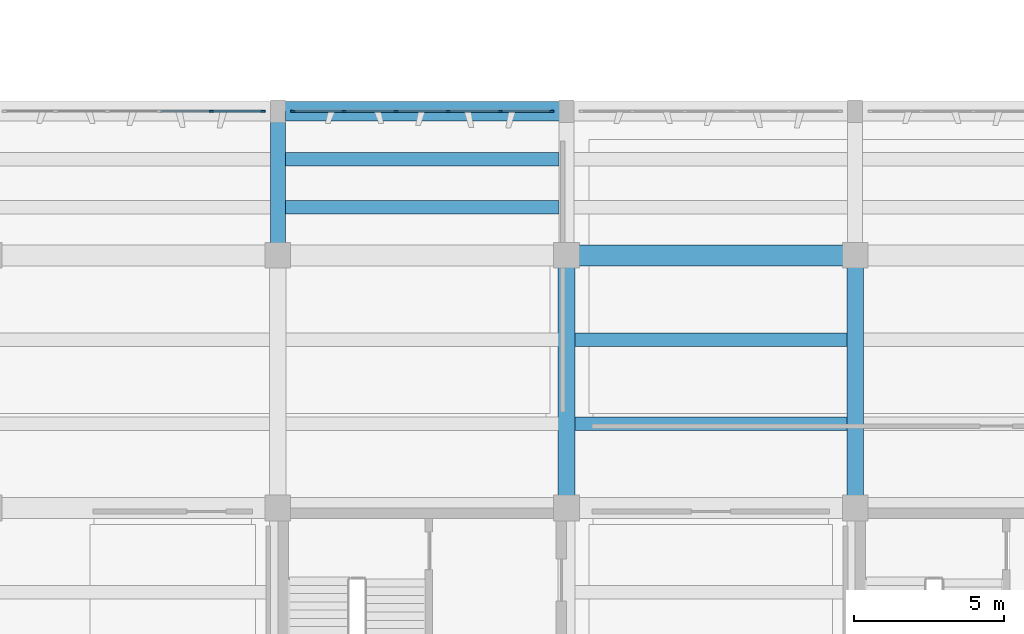
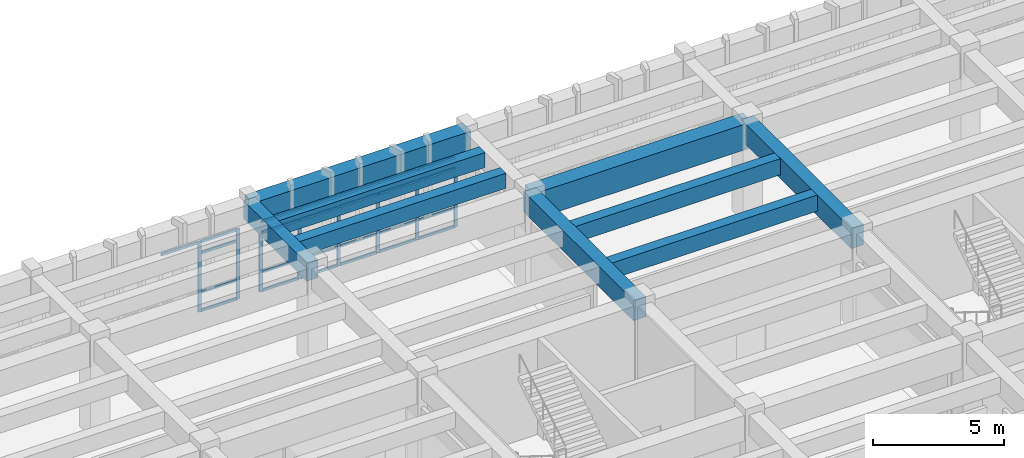
# One storey, part 15 of 86: 33 members, 9 beams, 2 elements without a shape of their own.
"""IFC4 building model written with IfcOpenShell, lengths in metres."""

from ifc_helpers import new_model, si_unit, direction, frame, origin, origin_2d, place, context, subcontext, project, spatial, rectangle, extrude, material, layer, layer_set, material_profile, profile_set, type_object, element, aggregate, save


model = new_model("IFC4")

# Units and contexts
model_context = context("Model", 3, precision=1e-05, world=origin(), true_north=direction((0.0, 1.0)))
body_context = subcontext(model_context, "Body", "Model", "MODEL_VIEW")
ifc_project = project(units=[si_unit("LENGTHUNIT", "METRE"), si_unit("AREAUNIT", "SQUARE_METRE"), si_unit("VOLUMEUNIT", "CUBIC_METRE"), si_unit("PLANEANGLEUNIT", "RADIAN"), si_unit("MASSUNIT", "GRAM", prefix="KILO")], contexts=[model_context])

# Site, building, storey
site_placement = place(None, origin())
site = spatial("IfcSite", under=ifc_project, at=site_placement, CompositionType="ELEMENT")
building_placement = place(site_placement, origin())
building = spatial("IfcBuilding", under=site, at=building_placement, Name="Kolvemor Railside Polytechnic", CompositionType="ELEMENT")
storey_placement = place(building_placement, frame((0.0, 0.0, 5.39990234375)))
storey = spatial("IfcBuildingStorey", under=building, at=storey_placement, Name="L01", CompositionType="ELEMENT", Elevation=5.39990234375)

# Beams
ifc_material_1 = material(Name="Concrete C40/50", Category="concrete")
ifc_material_profile_1 = material_profile(ifc_material_1, rectangle(XDim=0.550048828125, YDim=0.949951171875, at=origin_2d()), Name="RC550x950")
ifc_profile_set_1 = profile_set([ifc_material_profile_1], Name="Concrete C40/50")
beam_type_1 = type_object("IfcBeamType", Name="BM-RC-GIRD", PredefinedType="BEAM", material=ifc_profile_set_1)
for number, where, z_axis, x_axis, name in (
    (1, (96.0, 30.0, 4.005126953125), (0.0, 1.0, 0.0), (-1.0, 0.0, 0.0), "Primary Girder L02-GY 0812"),
    (2, (105.60009765625, 30.0, 4.005126953125), (0.0, 1.0, 0.0), (-1.0, 0.0, 0.0), "Primary Girder L02-GY 0816"),
):
    element("IfcBeam", number, at=place(storey_placement, frame(where, z_axis=z_axis, x_axis=x_axis)), inside=storey, type_object=beam_type_1, Name=name, PredefinedType="BEAM", context=body_context, shape_type="SweptSolid", body=[
        extrude(rectangle(XDim=0.550048828125, YDim=0.949951171875, at=origin_2d()), origin(), (0.0, 0.0, 1.0), 8.39990234375),
    ])
ifc_material_2 = material(Name="Concrete C40/50", Category="concrete")
ifc_material_profile_2 = material_profile(ifc_material_2, rectangle(XDim=0.64990234375, YDim=1.050048828125, at=origin_2d()), Name="RC650x1050")
ifc_profile_set_2 = profile_set([ifc_material_profile_2], Name="Concrete C40/50")
beam_type_2 = type_object("IfcBeamType", Name="BM-RC-GIRD2", PredefinedType="BEAM", material=ifc_profile_set_2)
beam_1_placement = place(storey_placement, frame((86.39990234375, 43.199951171875, 3.955078125), z_axis=(1.0, 0.0, 0.0), x_axis=(0.0, 1.0, 0.0)))
element("IfcBeam", 3, at=beam_1_placement, inside=storey, type_object=beam_type_2, Name="Primary Girder L02-GX 1884", PredefinedType="BEAM", context=body_context, shape_type="SweptSolid", body=[
    extrude(rectangle(XDim=0.64990234375, YDim=1.050048828125, at=origin_2d()), origin(), (0.0, 0.0, 1.0), 9.60009765625),
])
ifc_material_3 = material(Name="Concrete C40/50", Category="concrete")
ifc_material_profile_3 = material_profile(ifc_material_3, rectangle(XDim=0.5, YDim=0.85009765625, at=origin_2d()), Name="RC500x850")
ifc_profile_set_3 = profile_set([ifc_material_profile_3], Name="Concrete C40/50")
beam_type_3 = type_object("IfcBeamType", Name="BM-RC-GIRD3", PredefinedType="BEAM", material=ifc_profile_set_3)
beam_2_placement = place(storey_placement, frame((86.39990234375, 38.39990234375, 4.05517578125), z_axis=(0.0, 1.0, 0.0), x_axis=(-1.0, 0.0, 0.0)))
element("IfcBeam", 4, at=beam_2_placement, inside=storey, type_object=beam_type_3, Name="Primary Girder L02-GY 1891", PredefinedType="BEAM", context=body_context, shape_type="SweptSolid", body=[
    extrude(rectangle(XDim=0.5, YDim=0.85009765625, at=origin_2d()), origin(), (0.0, 0.0, 1.0), 4.800048828125),
])
ifc_material_4 = material(Name="Concrete C40/50", Category="concrete")
ifc_material_profile_4 = material_profile(ifc_material_4, rectangle(XDim=0.449951171875, YDim=0.75, at=origin_2d()), Name="RC450x750")
ifc_profile_set_4 = profile_set([ifc_material_profile_4], Name="Concrete C40/50")
beam_type_4 = type_object("IfcBeamType", Name="BM-RC-SEC", PredefinedType="JOIST", material=ifc_profile_set_4)
for number, where, z_axis, x_axis, name in (
    (5, (96.27490234375, 32.800048828125, 4.10498046875), (1.0, 0.0, 0.0), (0.0, 1.0, 0.0), "Floor Joist L02-J0871"),
    (6, (96.27490234375, 35.60009765625, 4.10498046875), (1.0, 0.0, 0.0), (0.0, 1.0, 0.0), "Floor Joist L02-J0872"),
):
    element("IfcBeam", number, at=place(storey_placement, frame(where, z_axis=z_axis, x_axis=x_axis)), inside=storey, type_object=beam_type_4, Name=name, PredefinedType="JOIST", context=body_context, shape_type="SweptSolid", body=[
        extrude(rectangle(XDim=0.449951171875, YDim=0.75, at=origin_2d()), origin(), (0.0, 0.0, 1.0), 9.050048828125),
    ])
ifc_material_5 = material(Name="Concrete C40/50", Category="concrete")
ifc_material_profile_5 = material_profile(ifc_material_5, rectangle(XDim=0.449951171875, YDim=0.699951171875, at=origin_2d()), Name="RC450x700")
ifc_profile_set_5 = profile_set([ifc_material_profile_5], Name="Concrete C40/50")
beam_type_5 = type_object("IfcBeamType", Name="BM-RC-SEC2", PredefinedType="JOIST", material=ifc_profile_set_5)
for number, where, z_axis, x_axis, name in (
    (7, (86.64990234375, 40.0, 4.130126953125), (1.0, 0.0, 0.0), (0.0, 1.0, 0.0), "Floor Joist L02-J1902"),
    (8, (86.64990234375, 41.60009765625, 4.130126953125), (1.0, 0.0, 0.0), (0.0, 1.0, 0.0), "Floor Joist L02-J1903"),
):
    element("IfcBeam", number, at=place(storey_placement, frame(where, z_axis=z_axis, x_axis=x_axis)), inside=storey, type_object=beam_type_5, Name=name, PredefinedType="JOIST", context=body_context, shape_type="SweptSolid", body=[
        extrude(rectangle(XDim=0.449951171875, YDim=0.699951171875, at=origin_2d()), origin(), (0.0, 0.0, 1.0), 9.10009765625),
    ])
ifc_material_6 = material(Name="Concrete C40/50", Category="concrete")
ifc_material_profile_6 = material_profile(ifc_material_6, rectangle(XDim=0.699951171875, YDim=1.199951171875, at=origin_2d()), Name="RC700x1200")
ifc_profile_set_6 = profile_set([ifc_material_profile_6], Name="Concrete C40/50")
beam_type_6 = type_object("IfcBeamType", Name="BM-RC-XFER", PredefinedType="BEAM", material=ifc_profile_set_6)
beam_3_placement = place(storey_placement, frame((96.0, 38.39990234375, 3.880126953125), z_axis=(1.0, 0.0, 0.0), x_axis=(0.0, 1.0, 0.0)))
element("IfcBeam", 9, at=beam_3_placement, inside=storey, type_object=beam_type_6, Name="Primary Girder L02-GX 0789", PredefinedType="BEAM", context=body_context, shape_type="SweptSolid", body=[
    extrude(rectangle(XDim=0.699951171875, YDim=1.199951171875, at=origin_2d()), origin(), (0.0, 0.0, 1.0), 9.60009765625),
])

# Curtain wall, members
ifc_material_7 = material(Name="Anodised marine aluminium and laminated low-E glass", Category="aluminium")
ifc_layer = layer(ifc_material_7, 0.179931640625, Name="CW-UNIT-STD")
ifc_layer_set = layer_set([ifc_layer], Name="Anodised marine aluminium and laminated low-E glass")
curtain_wall_type = type_object("IfcCurtainWallType", Name="CW-UNIT-STD", PredefinedType="USERDEFINED", material=ifc_layer_set)
curtain_wall_1_placement = place(storey_placement, origin())
curtain_wall_1 = element("IfcCurtainWall", 10, at=curtain_wall_1_placement, inside=storey, type_object=curtain_wall_type, Name="Curtain Wall L01-115", ObjectType="UNITISED CURTAIN WALL", PredefinedType="USERDEFINED")
ifc_material_8 = material(Name="Anodised marine aluminium 6063-T6", Category="aluminium")
ifc_material_profile_7 = material_profile(ifc_material_8, rectangle(XDim=0.06494140625, YDim=0.14990234375, at=origin_2d()), Name="CW-MUL-65x150")
ifc_profile_set_7 = profile_set([ifc_material_profile_7], Name="Anodised marine aluminium 6063-T6")
member_type_1 = type_object("IfcMemberType", Name="CWM-65x150", PredefinedType="MULLION", material=ifc_profile_set_7)
member_1_placement = place(storey_placement, frame((85.8974609375, 43.199951171875, 0.0), z_axis=(0.0, 0.0, 1.0), x_axis=(0.0, -1.0, 0.0)))
member_1 = element("IfcMember", 11, at=member_1_placement, type_object=member_type_1, Name="CW-STD mullion 1", PredefinedType="MULLION", context=body_context, shape_type="SweptSolid", body=[
    extrude(rectangle(XDim=0.06494140625, YDim=0.14990234375, at=origin_2d()), origin(), (0.0, 0.0, 1.0), 3.280029296875),
])
member_2_placement = place(storey_placement, frame((84.197998046875, 43.199951171875, 0.0), z_axis=(0.0, 0.0, 1.0), x_axis=(0.0, -1.0, 0.0)))
member_2 = element("IfcMember", 12, at=member_2_placement, type_object=member_type_1, Name="CW-STD mullion 2", PredefinedType="MULLION", context=body_context, shape_type="SweptSolid", body=[
    extrude(rectangle(XDim=0.06494140625, YDim=0.14990234375, at=origin_2d()), origin(), (0.0, 0.0, 1.0), 3.280029296875),
])

curtain_wall_2_placement = place(storey_placement, origin())
curtain_wall_2 = element("IfcCurtainWall", 13, at=curtain_wall_2_placement, inside=storey, type_object=curtain_wall_type, Name="Curtain Wall L01-116", ObjectType="UNITISED CURTAIN WALL", PredefinedType="USERDEFINED")
member_3_placement = place(storey_placement, frame((95.49755859375, 43.199951171875, 0.0), z_axis=(0.0, 0.0, 1.0), x_axis=(0.0, -1.0, 0.0)))
member_3 = element("IfcMember", 14, at=member_3_placement, type_object=member_type_1, Name="CW-STD mullion 1", PredefinedType="MULLION", context=body_context, shape_type="SweptSolid", body=[
    extrude(rectangle(XDim=0.06494140625, YDim=0.14990234375, at=origin_2d()), origin(), (0.0, 0.0, 1.0), 3.280029296875),
])
member_4_placement = place(storey_placement, frame((93.798095703125, 43.199951171875, 0.0), z_axis=(0.0, 0.0, 1.0), x_axis=(0.0, -1.0, 0.0)))
member_4 = element("IfcMember", 15, at=member_4_placement, type_object=member_type_1, Name="CW-STD mullion 2", PredefinedType="MULLION", context=body_context, shape_type="SweptSolid", body=[
    extrude(rectangle(XDim=0.06494140625, YDim=0.14990234375, at=origin_2d()), origin(), (0.0, 0.0, 1.0), 3.280029296875),
])
member_5_placement = place(storey_placement, frame((92.06591796875, 43.199951171875, 0.0), z_axis=(0.0, 0.0, 1.0), x_axis=(0.0, -1.0, 0.0)))
member_5 = element("IfcMember", 16, at=member_5_placement, type_object=member_type_1, Name="CW-STD mullion 3", PredefinedType="MULLION", context=body_context, shape_type="SweptSolid", body=[
    extrude(rectangle(XDim=0.06494140625, YDim=0.14990234375, at=origin_2d()), origin(), (0.0, 0.0, 1.0), 3.280029296875),
])
member_6_placement = place(storey_placement, frame((90.333984375, 43.199951171875, 0.0), z_axis=(0.0, 0.0, 1.0), x_axis=(0.0, -1.0, 0.0)))
member_6 = element("IfcMember", 17, at=member_6_placement, type_object=member_type_1, Name="CW-STD mullion 4", PredefinedType="MULLION", context=body_context, shape_type="SweptSolid", body=[
    extrude(rectangle(XDim=0.06494140625, YDim=0.14990234375, at=origin_2d()), origin(), (0.0, 0.0, 1.0), 3.280029296875),
])
member_7_placement = place(storey_placement, frame((88.60205078125, 43.199951171875, 0.0), z_axis=(0.0, 0.0, 1.0), x_axis=(0.0, -1.0, 0.0)))
member_7 = element("IfcMember", 18, at=member_7_placement, type_object=member_type_1, Name="CW-STD mullion 5", PredefinedType="MULLION", context=body_context, shape_type="SweptSolid", body=[
    extrude(rectangle(XDim=0.06494140625, YDim=0.14990234375, at=origin_2d()), origin(), (0.0, 0.0, 1.0), 3.280029296875),
])
member_8_placement = place(storey_placement, frame((86.902587890625, 43.199951171875, 0.0), z_axis=(0.0, 0.0, 1.0), x_axis=(0.0, -1.0, 0.0)))
member_8 = element("IfcMember", 19, at=member_8_placement, type_object=member_type_1, Name="CW-STD mullion 6", PredefinedType="MULLION", context=body_context, shape_type="SweptSolid", body=[
    extrude(rectangle(XDim=0.06494140625, YDim=0.14990234375, at=origin_2d()), origin(), (0.0, 0.0, 1.0), 3.280029296875),
])

# Member
ifc_material_9 = material(Name="Anodised marine aluminium 6063-T6", Category="aluminium")
ifc_material_profile_8 = material_profile(ifc_material_9, rectangle(XDim=0.06494140625, YDim=0.1201171875, at=origin_2d()), Name="CW-TRN-65x120")
ifc_profile_set_8 = profile_set([ifc_material_profile_8], Name="Anodised marine aluminium 6063-T6")
member_type_2 = type_object("IfcMemberType", Name="CWT-65x120", PredefinedType="USERDEFINED", material=ifc_profile_set_8)
member_9_placement = place(storey_placement, frame((85.864990234375, 43.199951171875, 0.03271484375), z_axis=(-1.0, 0.0, 0.0), x_axis=(0.0, -1.0, 0.0)))
member_9 = element("IfcMember", 20, at=member_9_placement, type_object=member_type_2, Name="CW-STD transom 1.1", ObjectType="TRANSOM", PredefinedType="USERDEFINED", context=body_context, shape_type="SweptSolid", body=[
    extrude(rectangle(XDim=0.06494140625, YDim=0.1201171875, at=origin_2d()), origin(), (0.0, 0.0, 1.0), 1.634521484375),
])

member_10_placement = place(storey_placement, frame((85.864990234375, 43.199951171875, 0.900146484375), z_axis=(-1.0, 0.0, 0.0), x_axis=(0.0, -1.0, 0.0)))
member_10 = element("IfcMember", 21, at=member_10_placement, type_object=member_type_2, Name="CW-STD transom 1.2", ObjectType="TRANSOM", PredefinedType="USERDEFINED", context=body_context, shape_type="SweptSolid", body=[
    extrude(rectangle(XDim=0.06494140625, YDim=0.1201171875, at=origin_2d()), origin(), (0.0, 0.0, 1.0), 1.634521484375),
])

member_11_placement = place(storey_placement, frame((85.864990234375, 43.199951171875, 2.72998046875), z_axis=(-1.0, 0.0, 0.0), x_axis=(0.0, -1.0, 0.0)))
member_11 = element("IfcMember", 22, at=member_11_placement, type_object=member_type_2, Name="CW-STD transom 1.3", ObjectType="TRANSOM", PredefinedType="USERDEFINED", context=body_context, shape_type="SweptSolid", body=[
    extrude(rectangle(XDim=0.06494140625, YDim=0.1201171875, at=origin_2d()), origin(), (0.0, 0.0, 1.0), 1.634521484375),
])

member_12_placement = place(storey_placement, frame((85.864990234375, 43.199951171875, 3.24755859375), z_axis=(-1.0, 0.0, 0.0), x_axis=(0.0, -1.0, 0.0)))
member_12 = element("IfcMember", 23, at=member_12_placement, type_object=member_type_2, Name="CW-STD transom 1.4", ObjectType="TRANSOM", PredefinedType="USERDEFINED", context=body_context, shape_type="SweptSolid", body=[
    extrude(rectangle(XDim=0.06494140625, YDim=0.1201171875, at=origin_2d()), origin(), (0.0, 0.0, 1.0), 1.634521484375),
])

member_13_placement = place(storey_placement, frame((84.16552734375, 43.199951171875, 3.24755859375), z_axis=(-1.0, 0.0, 0.0), x_axis=(0.0, -1.0, 0.0)))
member_13 = element("IfcMember", 24, at=member_13_placement, type_object=member_type_2, Name="CW-STD transom 2.4", ObjectType="TRANSOM", PredefinedType="USERDEFINED", context=body_context, shape_type="SweptSolid", body=[
    extrude(rectangle(XDim=0.06494140625, YDim=0.1201171875, at=origin_2d()), origin(), (0.0, 0.0, 1.0), 1.6669921875),
])

aggregate(curtain_wall_1, [member_1, member_2, member_9, member_10, member_11, member_12, member_13])

member_14_placement = place(storey_placement, frame((95.465087890625, 43.199951171875, 0.03271484375), z_axis=(-1.0, 0.0, 0.0), x_axis=(0.0, -1.0, 0.0)))
member_14 = element("IfcMember", 25, at=member_14_placement, type_object=member_type_2, Name="CW-STD transom 1.1", ObjectType="TRANSOM", PredefinedType="USERDEFINED", context=body_context, shape_type="SweptSolid", body=[
    extrude(rectangle(XDim=0.06494140625, YDim=0.1201171875, at=origin_2d()), origin(), (0.0, 0.0, 1.0), 1.634521484375),
])

member_15_placement = place(storey_placement, frame((95.465087890625, 43.199951171875, 0.900146484375), z_axis=(-1.0, 0.0, 0.0), x_axis=(0.0, -1.0, 0.0)))
member_15 = element("IfcMember", 26, at=member_15_placement, type_object=member_type_2, Name="CW-STD transom 1.2", ObjectType="TRANSOM", PredefinedType="USERDEFINED", context=body_context, shape_type="SweptSolid", body=[
    extrude(rectangle(XDim=0.06494140625, YDim=0.1201171875, at=origin_2d()), origin(), (0.0, 0.0, 1.0), 1.634521484375),
])

member_16_placement = place(storey_placement, frame((95.465087890625, 43.199951171875, 2.72998046875), z_axis=(-1.0, 0.0, 0.0), x_axis=(0.0, -1.0, 0.0)))
member_16 = element("IfcMember", 27, at=member_16_placement, type_object=member_type_2, Name="CW-STD transom 1.3", ObjectType="TRANSOM", PredefinedType="USERDEFINED", context=body_context, shape_type="SweptSolid", body=[
    extrude(rectangle(XDim=0.06494140625, YDim=0.1201171875, at=origin_2d()), origin(), (0.0, 0.0, 1.0), 1.634521484375),
])

member_17_placement = place(storey_placement, frame((95.465087890625, 43.199951171875, 3.24755859375), z_axis=(-1.0, 0.0, 0.0), x_axis=(0.0, -1.0, 0.0)))
member_17 = element("IfcMember", 28, at=member_17_placement, type_object=member_type_2, Name="CW-STD transom 1.4", ObjectType="TRANSOM", PredefinedType="USERDEFINED", context=body_context, shape_type="SweptSolid", body=[
    extrude(rectangle(XDim=0.06494140625, YDim=0.1201171875, at=origin_2d()), origin(), (0.0, 0.0, 1.0), 1.634521484375),
])

member_18_placement = place(storey_placement, frame((93.765380859375, 43.199951171875, 0.03271484375), z_axis=(-1.0, 0.0, 0.0), x_axis=(0.0, -1.0, 0.0)))
member_18 = element("IfcMember", 29, at=member_18_placement, type_object=member_type_2, Name="CW-STD transom 2.1", ObjectType="TRANSOM", PredefinedType="USERDEFINED", context=body_context, shape_type="SweptSolid", body=[
    extrude(rectangle(XDim=0.06494140625, YDim=0.1201171875, at=origin_2d()), origin(), (0.0, 0.0, 1.0), 1.6669921875),
])

member_19_placement = place(storey_placement, frame((93.765380859375, 43.199951171875, 0.900146484375), z_axis=(-1.0, 0.0, 0.0), x_axis=(0.0, -1.0, 0.0)))
member_19 = element("IfcMember", 30, at=member_19_placement, type_object=member_type_2, Name="CW-STD transom 2.2", ObjectType="TRANSOM", PredefinedType="USERDEFINED", context=body_context, shape_type="SweptSolid", body=[
    extrude(rectangle(XDim=0.06494140625, YDim=0.1201171875, at=origin_2d()), origin(), (0.0, 0.0, 1.0), 1.6669921875),
])

member_20_placement = place(storey_placement, frame((93.765380859375, 43.199951171875, 2.72998046875), z_axis=(-1.0, 0.0, 0.0), x_axis=(0.0, -1.0, 0.0)))
member_20 = element("IfcMember", 31, at=member_20_placement, type_object=member_type_2, Name="CW-STD transom 2.3", ObjectType="TRANSOM", PredefinedType="USERDEFINED", context=body_context, shape_type="SweptSolid", body=[
    extrude(rectangle(XDim=0.06494140625, YDim=0.1201171875, at=origin_2d()), origin(), (0.0, 0.0, 1.0), 1.6669921875),
])

member_21_placement = place(storey_placement, frame((93.765380859375, 43.199951171875, 3.24755859375), z_axis=(-1.0, 0.0, 0.0), x_axis=(0.0, -1.0, 0.0)))
member_21 = element("IfcMember", 32, at=member_21_placement, type_object=member_type_2, Name="CW-STD transom 2.4", ObjectType="TRANSOM", PredefinedType="USERDEFINED", context=body_context, shape_type="SweptSolid", body=[
    extrude(rectangle(XDim=0.06494140625, YDim=0.1201171875, at=origin_2d()), origin(), (0.0, 0.0, 1.0), 1.6669921875),
])

member_22_placement = place(storey_placement, frame((92.033447265625, 43.199951171875, 0.03271484375), z_axis=(-1.0, 0.0, 0.0), x_axis=(0.0, -1.0, 0.0)))
member_22 = element("IfcMember", 33, at=member_22_placement, type_object=member_type_2, Name="CW-STD transom 3.1", ObjectType="TRANSOM", PredefinedType="USERDEFINED", context=body_context, shape_type="SweptSolid", body=[
    extrude(rectangle(XDim=0.06494140625, YDim=0.1201171875, at=origin_2d()), origin(), (0.0, 0.0, 1.0), 1.6669921875),
])

member_23_placement = place(storey_placement, frame((92.033447265625, 43.199951171875, 0.900146484375), z_axis=(-1.0, 0.0, 0.0), x_axis=(0.0, -1.0, 0.0)))
member_23 = element("IfcMember", 34, at=member_23_placement, type_object=member_type_2, Name="CW-STD transom 3.2", ObjectType="TRANSOM", PredefinedType="USERDEFINED", context=body_context, shape_type="SweptSolid", body=[
    extrude(rectangle(XDim=0.06494140625, YDim=0.1201171875, at=origin_2d()), origin(), (0.0, 0.0, 1.0), 1.6669921875),
])

member_24_placement = place(storey_placement, frame((92.033447265625, 43.199951171875, 2.72998046875), z_axis=(-1.0, 0.0, 0.0), x_axis=(0.0, -1.0, 0.0)))
member_24 = element("IfcMember", 35, at=member_24_placement, type_object=member_type_2, Name="CW-STD transom 3.3", ObjectType="TRANSOM", PredefinedType="USERDEFINED", context=body_context, shape_type="SweptSolid", body=[
    extrude(rectangle(XDim=0.06494140625, YDim=0.1201171875, at=origin_2d()), origin(), (0.0, 0.0, 1.0), 1.6669921875),
])

member_25_placement = place(storey_placement, frame((92.033447265625, 43.199951171875, 3.24755859375), z_axis=(-1.0, 0.0, 0.0), x_axis=(0.0, -1.0, 0.0)))
member_25 = element("IfcMember", 36, at=member_25_placement, type_object=member_type_2, Name="CW-STD transom 3.4", ObjectType="TRANSOM", PredefinedType="USERDEFINED", context=body_context, shape_type="SweptSolid", body=[
    extrude(rectangle(XDim=0.06494140625, YDim=0.1201171875, at=origin_2d()), origin(), (0.0, 0.0, 1.0), 1.6669921875),
])

member_26_placement = place(storey_placement, frame((90.301513671875, 43.199951171875, 0.03271484375), z_axis=(-1.0, 0.0, 0.0), x_axis=(0.0, -1.0, 0.0)))
member_26 = element("IfcMember", 37, at=member_26_placement, type_object=member_type_2, Name="CW-STD transom 4.1", ObjectType="TRANSOM", PredefinedType="USERDEFINED", context=body_context, shape_type="SweptSolid", body=[
    extrude(rectangle(XDim=0.06494140625, YDim=0.1201171875, at=origin_2d()), origin(), (0.0, 0.0, 1.0), 1.6669921875),
])

member_27_placement = place(storey_placement, frame((90.301513671875, 43.199951171875, 0.900146484375), z_axis=(-1.0, 0.0, 0.0), x_axis=(0.0, -1.0, 0.0)))
member_27 = element("IfcMember", 38, at=member_27_placement, type_object=member_type_2, Name="CW-STD transom 4.2", ObjectType="TRANSOM", PredefinedType="USERDEFINED", context=body_context, shape_type="SweptSolid", body=[
    extrude(rectangle(XDim=0.06494140625, YDim=0.1201171875, at=origin_2d()), origin(), (0.0, 0.0, 1.0), 1.6669921875),
])

member_28_placement = place(storey_placement, frame((90.301513671875, 43.199951171875, 2.72998046875), z_axis=(-1.0, 0.0, 0.0), x_axis=(0.0, -1.0, 0.0)))
member_28 = element("IfcMember", 39, at=member_28_placement, type_object=member_type_2, Name="CW-STD transom 4.3", ObjectType="TRANSOM", PredefinedType="USERDEFINED", context=body_context, shape_type="SweptSolid", body=[
    extrude(rectangle(XDim=0.06494140625, YDim=0.1201171875, at=origin_2d()), origin(), (0.0, 0.0, 1.0), 1.6669921875),
])

member_29_placement = place(storey_placement, frame((90.301513671875, 43.199951171875, 3.24755859375), z_axis=(-1.0, 0.0, 0.0), x_axis=(0.0, -1.0, 0.0)))
member_29 = element("IfcMember", 40, at=member_29_placement, type_object=member_type_2, Name="CW-STD transom 4.4", ObjectType="TRANSOM", PredefinedType="USERDEFINED", context=body_context, shape_type="SweptSolid", body=[
    extrude(rectangle(XDim=0.06494140625, YDim=0.1201171875, at=origin_2d()), origin(), (0.0, 0.0, 1.0), 1.6669921875),
])

member_30_placement = place(storey_placement, frame((88.569580078125, 43.199951171875, 0.03271484375), z_axis=(-1.0, 0.0, 0.0), x_axis=(0.0, -1.0, 0.0)))
member_30 = element("IfcMember", 41, at=member_30_placement, type_object=member_type_2, Name="CW-STD transom 5.1", ObjectType="TRANSOM", PredefinedType="USERDEFINED", context=body_context, shape_type="SweptSolid", body=[
    extrude(rectangle(XDim=0.06494140625, YDim=0.1201171875, at=origin_2d()), origin(), (0.0, 0.0, 1.0), 1.634521484375),
])

member_31_placement = place(storey_placement, frame((88.569580078125, 43.199951171875, 0.900146484375), z_axis=(-1.0, 0.0, 0.0), x_axis=(0.0, -1.0, 0.0)))
member_31 = element("IfcMember", 42, at=member_31_placement, type_object=member_type_2, Name="CW-STD transom 5.2", ObjectType="TRANSOM", PredefinedType="USERDEFINED", context=body_context, shape_type="SweptSolid", body=[
    extrude(rectangle(XDim=0.06494140625, YDim=0.1201171875, at=origin_2d()), origin(), (0.0, 0.0, 1.0), 1.634521484375),
])

member_32_placement = place(storey_placement, frame((88.569580078125, 43.199951171875, 2.72998046875), z_axis=(-1.0, 0.0, 0.0), x_axis=(0.0, -1.0, 0.0)))
member_32 = element("IfcMember", 43, at=member_32_placement, type_object=member_type_2, Name="CW-STD transom 5.3", ObjectType="TRANSOM", PredefinedType="USERDEFINED", context=body_context, shape_type="SweptSolid", body=[
    extrude(rectangle(XDim=0.06494140625, YDim=0.1201171875, at=origin_2d()), origin(), (0.0, 0.0, 1.0), 1.634521484375),
])

member_33_placement = place(storey_placement, frame((88.569580078125, 43.199951171875, 3.24755859375), z_axis=(-1.0, 0.0, 0.0), x_axis=(0.0, -1.0, 0.0)))
member_33 = element("IfcMember", 44, at=member_33_placement, type_object=member_type_2, Name="CW-STD transom 5.4", ObjectType="TRANSOM", PredefinedType="USERDEFINED", context=body_context, shape_type="SweptSolid", body=[
    extrude(rectangle(XDim=0.06494140625, YDim=0.1201171875, at=origin_2d()), origin(), (0.0, 0.0, 1.0), 1.634521484375),
])

aggregate(curtain_wall_2, [member_3, member_4, member_5, member_6, member_7, member_8, member_14, member_15, member_16, member_17, member_18, member_19, member_20, member_21, member_22, member_23, member_24, member_25, member_26, member_27, member_28, member_29, member_30, member_31, member_32, member_33])

save(model, "model.ifc")
